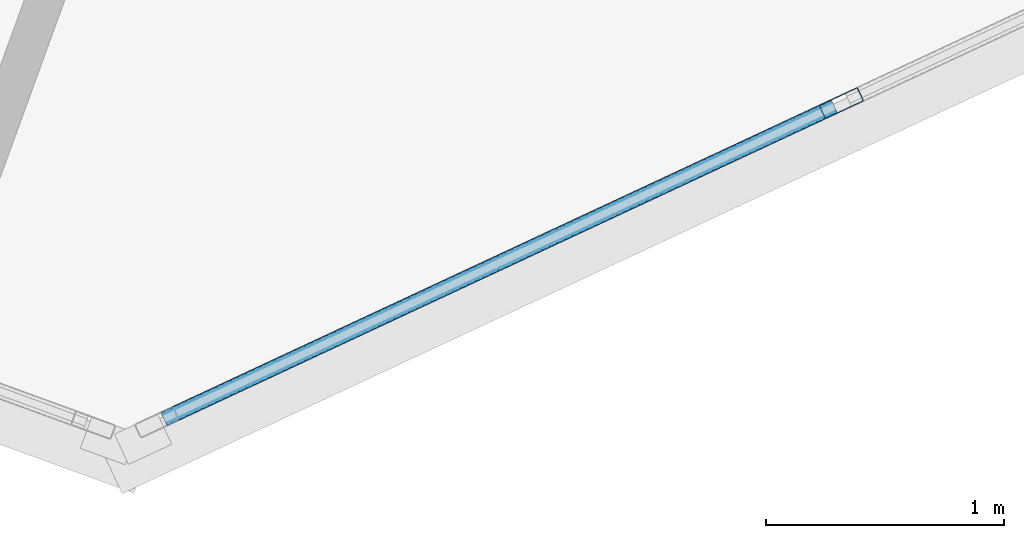
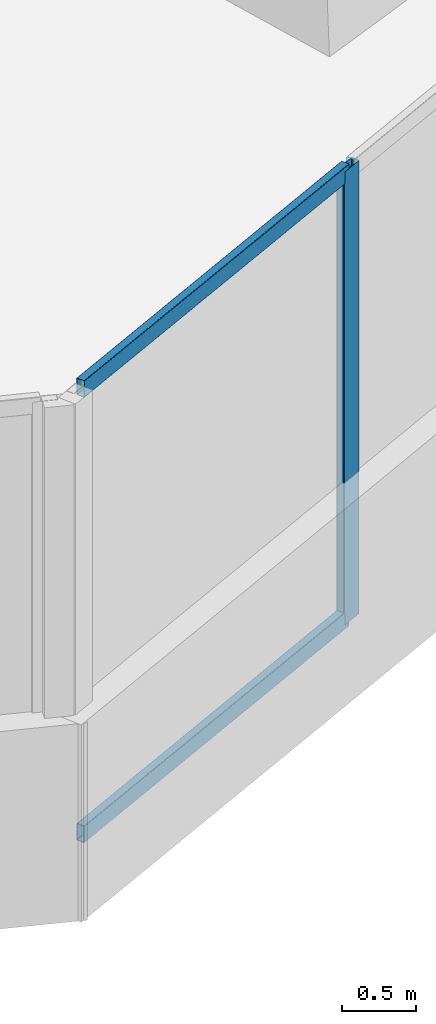
# One storey, part 5 of 21: 3 members, 1 element without a shape of its own.
"""IFC4 building model written with IfcOpenShell, lengths in metres."""

import ifcopenshell
import ifcopenshell.guid

model = None  # the IFC model being written
_history = None  # IfcOwnerHistory: only IFC2X3 demands one
_inside = {}  # id of a spatial element -> (the spatial element, [elements in it])
_under = {}  # id of a project, library or spatial element -> (it, [spatial elements below it])
_declared = {}  # id of a project -> (the project, [libraries it declares])
_typed = {}  # id of a type object -> (the type object, [elements of that type])
_made_of = {}  # id of a material, layer set ... -> (it, [elements and type objects made of it])


def new_model(schema):
    """Start an empty IFC model of exactly this schema.

    Asked for "IFC4X3", IfcOpenShell would pick the latest addendum, in which some entities
    have other attributes; the version numbers below select the first issue.
    IFC2X3 requires an IfcOwnerHistory on every rooted entity: one is made here for all.
    """
    global model, _history
    if schema == "IFC4X3":
        model = ifcopenshell.file(schema_version=(4, 3, 0, 0))
    else:
        model = ifcopenshell.file(schema=schema)
    _inside.clear()
    _under.clear()
    _declared.clear()
    _typed.clear()
    _made_of.clear()
    _history = None
    if model.schema == "IFC2X3":
        org = make("IfcOrganization", Name="unknown")
        user = make(
            "IfcPersonAndOrganization",
            ThePerson=make("IfcPerson", FamilyName="unknown"),
            TheOrganization=org,
        )
        app = make(
            "IfcApplication",
            ApplicationDeveloper=org,
            Version="unknown",
            ApplicationFullName="unknown",
            ApplicationIdentifier="unknown",
        )
        _history = make(
            "IfcOwnerHistory",
            OwningUser=user,
            OwningApplication=app,
            ChangeAction="ADDED",
            CreationDate=0,
        )
    return model


def make(cls, **values):
    """One entity of the class cls with the attributes given. An attribute that is None is left unset."""
    return model.create_entity(
        cls, **{name: value for name, value in values.items() if value is not None}
    )


def rooted(cls, **values):
    """An entity with a GlobalId (a new one), such as an element, a storey or a relation."""
    return make(cls, GlobalId=ifcopenshell.guid.new(), OwnerHistory=_history, **values)


def si_unit(unit_type, name, prefix=None):
    """IfcSIUnit, for example si_unit("LENGTHUNIT", "METRE", prefix="MILLI")."""
    return make("IfcSIUnit", UnitType=unit_type, Prefix=prefix, Name=name)


def assignment(units):
    """IfcUnitAssignment: the units of a project."""
    return None if units is None else make("IfcUnitAssignment", Units=units)


def point(xyz):
    """IfcCartesianPoint."""
    return None if xyz is None else make("IfcCartesianPoint", Coordinates=xyz)


def direction(xyz):
    """IfcDirection."""
    return None if xyz is None else make("IfcDirection", DirectionRatios=xyz)


def frame(location, z_axis=None, x_axis=None):
    """IfcAxis2Placement3D, a coordinate frame: its origin and axes. An axis left out is left unset."""
    return make(
        "IfcAxis2Placement3D",
        Location=point(location),
        Axis=direction(z_axis),
        RefDirection=direction(x_axis),
    )


def frame_2d(location, x_axis=None):
    """IfcAxis2Placement2D, a coordinate frame in the plane: its origin and x axis."""
    return make(
        "IfcAxis2Placement2D", Location=point(location), RefDirection=direction(x_axis)
    )


def origin():
    """The frame at (0, 0, 0) with its axes left unset."""
    return frame((0.0, 0.0, 0.0))


def origin_2d():
    """The frame at (0, 0) in the plane with its x axis left unset."""
    return frame_2d((0.0, 0.0))


def place(relative_to, where):
    """IfcLocalPlacement: puts the frame where relative to a parent placement (None: the world)."""
    return make(
        "IfcLocalPlacement", PlacementRelTo=relative_to, RelativePlacement=where
    )


def context(
    kind, dimensions, precision=None, world=None, true_north=None, identifier=None
):
    """IfcGeometricRepresentationContext, for example the 3D "Model" context."""
    return make(
        "IfcGeometricRepresentationContext",
        ContextIdentifier=identifier,
        ContextType=kind,
        CoordinateSpaceDimension=dimensions,
        Precision=precision,
        WorldCoordinateSystem=world,
        TrueNorth=true_north,
    )


def subcontext(parent, identifier, kind, view, scale=None):
    """IfcGeometricRepresentationSubContext, for example "Body" below "Model"."""
    return make(
        "IfcGeometricRepresentationSubContext",
        ContextIdentifier=identifier,
        ContextType=kind,
        ParentContext=parent,
        TargetScale=scale,
        TargetView=view,
    )


def project(units=None, contexts=None):
    """IfcProject with its units and contexts."""
    return rooted(
        "IfcProject",
        Name="project",
        RepresentationContexts=contexts,
        UnitsInContext=assignment(units),
    )


def spatial(cls, under=None, at=None, **own):
    """A site, building, storey or space (cls), placed at a placement, below another one or the project."""
    s = rooted(cls, ObjectPlacement=at, **own)
    if under is not None:
        _under.setdefault(under.id(), (under, []))[1].append(s)
    return s


def profile(cls, at=None, kind="AREA", **sizes):
    """A parametric profile (cls). Its sizes go by their IFC names, for example OverallWidth=200.0."""
    return make(cls, ProfileType=kind, Position=at, **sizes)


def hollow_rectangle(**sizes):
    """IfcRectangleHollowProfileDef."""
    return profile("IfcRectangleHollowProfileDef", **sizes)


def extrude(swept, where, along, depth):
    """IfcExtrudedAreaSolid: the profile swept, set in the frame where, extruded along a direction by depth."""
    return make(
        "IfcExtrudedAreaSolid",
        SweptArea=swept,
        Position=where,
        ExtrudedDirection=direction(along),
        Depth=depth,
    )


def shape(context_of_items, identifier, shape_type, items):
    """IfcShapeRepresentation: the items that make up one representation, for example the "Body"."""
    return make(
        "IfcShapeRepresentation",
        ContextOfItems=context_of_items,
        RepresentationIdentifier=identifier,
        RepresentationType=shape_type,
        Items=items,
    )


def source(mapping_origin, context_of_items, identifier, shape_type, items):
    """IfcRepresentationMap: a shape defined once, which mapped items show again and again."""
    return make(
        "IfcRepresentationMap",
        MappingOrigin=mapping_origin,
        MappedRepresentation=shape(context_of_items, identifier, shape_type, items),
    )


def transform(
    local_origin,
    x_axis=None,
    y_axis=None,
    z_axis=None,
    scale=None,
    scale2=None,
    scale3=None,
    uniform=True,
):
    """IfcCartesianTransformationOperator3D, or its non-uniform kind. x_axis, y_axis, z_axis: its Axis1, 2, 3."""
    if uniform:
        return make(
            "IfcCartesianTransformationOperator3D",
            Axis1=direction(x_axis),
            Axis2=direction(y_axis),
            LocalOrigin=point(local_origin),
            Scale=scale,
            Axis3=direction(z_axis),
        )
    return make(
        "IfcCartesianTransformationOperator3DnonUniform",
        Axis1=direction(x_axis),
        Axis2=direction(y_axis),
        LocalOrigin=point(local_origin),
        Scale=scale,
        Axis3=direction(z_axis),
        Scale2=scale2,
        Scale3=scale3,
    )


def mapped(mapping_source, mapping_target):
    """IfcMappedItem: shows the shape of a source again, moved by a transform."""
    return make(
        "IfcMappedItem", MappingSource=mapping_source, MappingTarget=mapping_target
    )


def material(Name=None, Category=None):
    """IfcMaterial."""
    return make("IfcMaterial", Name=Name, Category=Category)


def material_profile(
    of_material, cross_section, Name=None, Category=None, Priority=None
):
    """IfcMaterialProfile: a cross section and its material."""
    return make(
        "IfcMaterialProfile",
        Name=Name,
        Material=of_material,
        Profile=cross_section,
        Priority=Priority,
        Category=Category,
    )


def profile_set(profiles, Name=None, composite=None):
    """IfcMaterialProfileSet."""
    return make(
        "IfcMaterialProfileSet",
        Name=Name,
        MaterialProfiles=profiles,
        CompositeProfile=composite,
    )


def made_of(thing, what):
    """Note that an element or type object is made of a material, layer set ...; save() writes the relation."""
    if what is not None:
        _made_of.setdefault(what.id(), (what, []))[1].append(thing)
    return thing


def type_object(cls, material=None, **own):
    """A type object (cls), such as IfcWallType, which elements share."""
    return made_of(rooted(cls, **own), material)


def element(
    cls,
    number,
    at=None,
    inside=None,
    cuts=None,
    type_object=None,
    material=None,
    context=None,
    identifier="Body",
    shape_type=None,
    held_by="IfcProductDefinitionShape",
    body=None,
    shapes=None,
    **own,
):
    """One element of the class cls, such as IfcWall. Its Tag is "e" and its number.

    at: its placement. inside: the storey or other place that contains it. cuts: it is an
    opening in that element (IfcRelVoidsElement). A single representation is given by context,
    identifier, shape_type and body (its items); several are given by shapes. held_by: the class
    of the entity that holds the representations. save() writes the other relations.
    """
    e = rooted(cls, Tag="e%d" % number, ObjectPlacement=at, **own)
    if body is not None:
        shapes = [shape(context, identifier, shape_type, body)]
    if shapes is not None:
        e.Representation = make(held_by, Representations=shapes)
    if inside is not None:
        _inside.setdefault(inside.id(), (inside, []))[1].append(e)
    if cuts is not None:
        rooted(
            "IfcRelVoidsElement", RelatingBuildingElement=cuts, RelatedOpeningElement=e
        )
    if type_object is not None:
        _typed.setdefault(type_object.id(), (type_object, []))[1].append(e)
    return made_of(e, material)


def aggregate(whole, parts):
    """IfcRelAggregates: a whole, such as a stair, and the parts it consists of."""
    return rooted("IfcRelAggregates", RelatingObject=whole, RelatedObjects=parts)


def save(model, path):
    """Write the relations noted so far, then the file.

    IfcRelAggregates (storeys below a building ...), IfcRelContainedInSpatialStructure (elements
    in a storey), IfcRelDefinesByType, IfcRelAssociatesMaterial and IfcRelDeclares: one each for
    every whole, place, type object, material and project.
    """
    for whole, parts in _under.values():
        aggregate(whole, parts)
    for where, things in _inside.values():
        rooted(
            "IfcRelContainedInSpatialStructure",
            RelatedElements=things,
            RelatingStructure=where,
        )
    for kind, things in _typed.values():
        rooted("IfcRelDefinesByType", RelatedObjects=things, RelatingType=kind)
    for what, things in _made_of.values():
        rooted("IfcRelAssociatesMaterial", RelatedObjects=things, RelatingMaterial=what)
    for by, libraries in _declared.values():
        rooted("IfcRelDeclares", RelatingContext=by, RelatedDefinitions=libraries)
    model.write(path)


model = new_model("IFC4")

# Units and contexts
model_context = context("Model", 3, precision=1e-05, world=origin(), true_north=direction((0.0, 1.0)))
body_context = subcontext(model_context, "Body", "Model", "MODEL_VIEW")
ifc_project = project(units=[si_unit("LENGTHUNIT", "METRE"), si_unit("AREAUNIT", "SQUARE_METRE"), si_unit("VOLUMEUNIT", "CUBIC_METRE"), si_unit("PLANEANGLEUNIT", "RADIAN"), si_unit("MASSUNIT", "GRAM", prefix="KILO")], contexts=[model_context])

# Site, building, storey
site_placement = place(None, origin())
site = spatial("IfcSite", under=ifc_project, at=site_placement, CompositionType="ELEMENT")
building_placement = place(site_placement, origin())
building = spatial("IfcBuilding", under=site, at=building_placement, Name="Torre Montelarca", CompositionType="ELEMENT")
storey_placement = place(building_placement, frame((0.0, 0.0, 137.199951171875)))
storey = spatial("IfcBuildingStorey", under=building, at=storey_placement, Name="L30", CompositionType="ELEMENT", Elevation=137.199951171875)

# Curtain wall, members
ifc_material_1 = material(Name="Insulated low-E laminated glass", Category="glass")
curtain_wall_type = type_object("IfcCurtainWallType", Name="CW-SYS-Z2", PredefinedType="USERDEFINED", material=ifc_material_1)
curtain_wall_placement = place(storey_placement, origin())
curtain_wall = element("IfcCurtainWall", 1, at=curtain_wall_placement, inside=storey, type_object=curtain_wall_type, Name="L30 Curtain Wall Run CW-T3-L30-E02-B1", ObjectType="UNITISED GLAZING", PredefinedType="USERDEFINED")
ifc_material_2 = material(Name="Anodised aluminium AA 6063-T6", Category="aluminium")
ifc_material_profile_1 = material_profile(ifc_material_2, hollow_rectangle(XDim=0.06494140625, YDim=0.139892578125, WallThickness=0.00390625, InnerFilletRadius=0.00390625, OuterFilletRadius=0.008056640625, at=origin_2d()), Name="ALU65X140X4", Category="aluminium")
ifc_profile_set_1 = profile_set([ifc_material_profile_1], Name="Anodised aluminium AA 6063-T6")
member_type_1 = type_object("IfcMemberType", Name="CWT-ALU140", PredefinedType="USERDEFINED", material=ifc_profile_set_1)
shared_shape_1 = source(origin(), body_context, "Body", "SweptSolid", [
    extrude(hollow_rectangle(XDim=0.06494140625, YDim=0.139892578125, WallThickness=0.00390625, InnerFilletRadius=0.00390625, OuterFilletRadius=0.008056640625, at=origin_2d()), origin(), (0.0, 0.0, 1.0), 3.102294921875),
])
member_1_placement = place(storey_placement, frame((25.672119140625, 11.385009765625, 0.032470703125), z_axis=(0.906321811417, 0.422588185058, 0.0), x_axis=(-0.422588185058, 0.906321811417, 0.0)))
member_1 = element("IfcMember", 2, at=member_1_placement, type_object=member_type_1, Name="CW transom 1.1", ObjectType="TRANSOM", PredefinedType="USERDEFINED", context=body_context, shape_type="MappedRepresentation", body=[
    mapped(shared_shape_1, transform((0.0, 0.0, 0.0), scale=1.0)),
])
member_2_placement = place(storey_placement, frame((25.672119140625, 11.385009765625, 3.6875), z_axis=(0.906321811417, 0.422588185058, 0.0), x_axis=(-0.422588185058, 0.906321811417, 0.0)))
member_2 = element("IfcMember", 3, at=member_2_placement, type_object=member_type_1, Name="CW transom 1.2", ObjectType="TRANSOM", PredefinedType="USERDEFINED", context=body_context, shape_type="MappedRepresentation", body=[
    mapped(shared_shape_1, transform((0.0, 0.0, 0.0), scale=1.0)),
])
ifc_material_profile_2 = material_profile(ifc_material_2, hollow_rectangle(XDim=0.06494140625, YDim=0.179931640625, WallThickness=0.00390625, InnerFilletRadius=0.00390625, OuterFilletRadius=0.008056640625, at=origin_2d()), Name="ALU65X180X4", Category="aluminium")
ifc_profile_set_2 = profile_set([ifc_material_profile_2], Name="Anodised aluminium AA 6063-T6")
member_type_2 = type_object("IfcMemberType", Name="CWM-ALU180", PredefinedType="MULLION", material=ifc_profile_set_2)
shared_shape_2 = source(origin(), body_context, "Body", "SweptSolid", [
    extrude(hollow_rectangle(XDim=0.06494140625, YDim=0.179931640625, WallThickness=0.00390625, InnerFilletRadius=0.00390625, OuterFilletRadius=0.008056640625, at=origin_2d()), origin(), (0.0, 0.0, 1.0), 3.719970703125),
])
member_3_placement = place(storey_placement, frame((28.513427734375, 12.7099609375, 0.0), z_axis=(0.0, 0.0, 1.0), x_axis=(-0.42258947224, 0.906321211244, 0.0)))
member_3 = element("IfcMember", 4, at=member_3_placement, type_object=member_type_2, Name="CW mullion 2", PredefinedType="MULLION", context=body_context, shape_type="MappedRepresentation", body=[
    mapped(shared_shape_2, transform((0.0, 0.0, 0.0), scale=1.0)),
])
aggregate(curtain_wall, [member_3, member_1, member_2])

save(model, "model.ifc")
